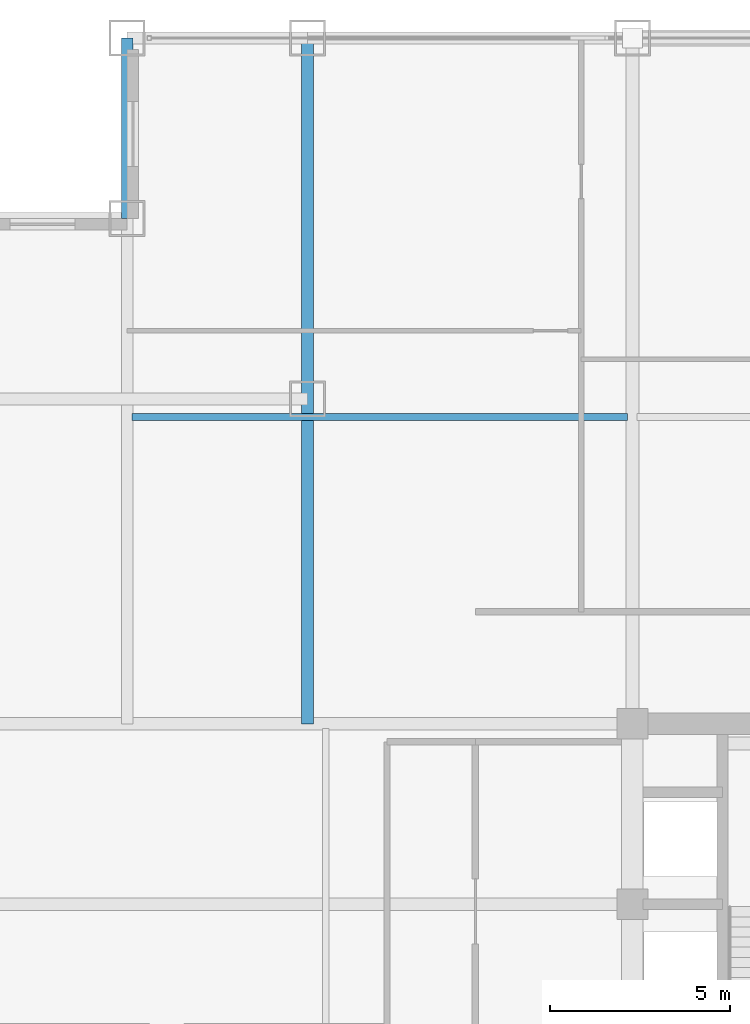
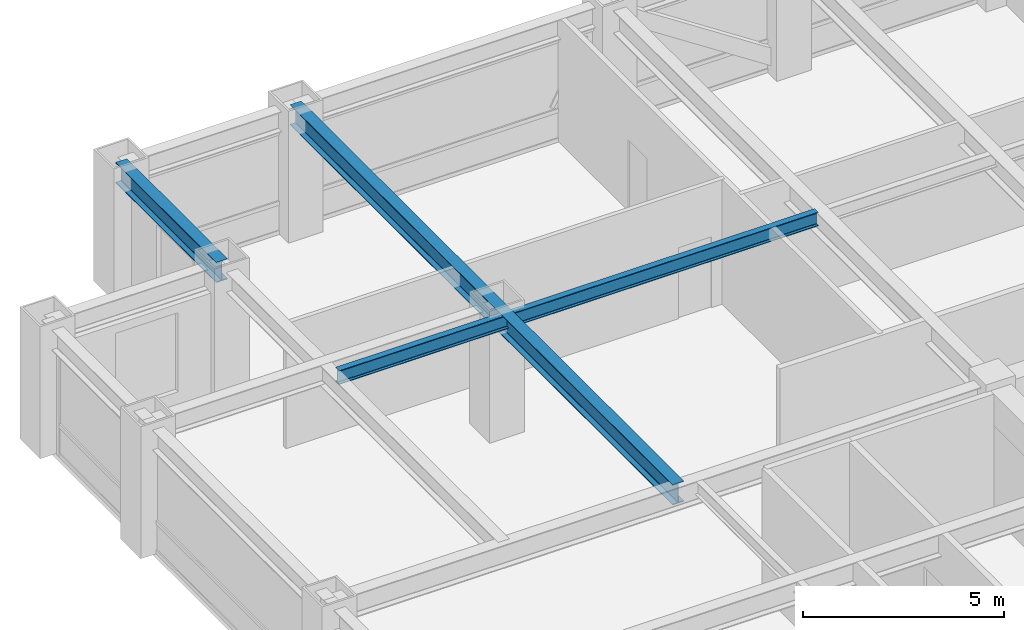
# One storey, part 13 of 25: 3 beams.
"""IFC4 building model written with IfcOpenShell, lengths in metres."""

import ifcopenshell
import ifcopenshell.guid

model = None  # the IFC model being written
_history = None  # IfcOwnerHistory: only IFC2X3 demands one
_inside = {}  # id of a spatial element -> (the spatial element, [elements in it])
_under = {}  # id of a project, library or spatial element -> (it, [spatial elements below it])
_declared = {}  # id of a project -> (the project, [libraries it declares])
_typed = {}  # id of a type object -> (the type object, [elements of that type])
_made_of = {}  # id of a material, layer set ... -> (it, [elements and type objects made of it])


def new_model(schema):
    """Start an empty IFC model of exactly this schema.

    Asked for "IFC4X3", IfcOpenShell would pick the latest addendum, in which some entities
    have other attributes; the version numbers below select the first issue.
    IFC2X3 requires an IfcOwnerHistory on every rooted entity: one is made here for all.
    """
    global model, _history
    if schema == "IFC4X3":
        model = ifcopenshell.file(schema_version=(4, 3, 0, 0))
    else:
        model = ifcopenshell.file(schema=schema)
    _inside.clear()
    _under.clear()
    _declared.clear()
    _typed.clear()
    _made_of.clear()
    _history = None
    if model.schema == "IFC2X3":
        org = make("IfcOrganization", Name="unknown")
        user = make(
            "IfcPersonAndOrganization",
            ThePerson=make("IfcPerson", FamilyName="unknown"),
            TheOrganization=org,
        )
        app = make(
            "IfcApplication",
            ApplicationDeveloper=org,
            Version="unknown",
            ApplicationFullName="unknown",
            ApplicationIdentifier="unknown",
        )
        _history = make(
            "IfcOwnerHistory",
            OwningUser=user,
            OwningApplication=app,
            ChangeAction="ADDED",
            CreationDate=0,
        )
    return model


def make(cls, **values):
    """One entity of the class cls with the attributes given. An attribute that is None is left unset."""
    return model.create_entity(
        cls, **{name: value for name, value in values.items() if value is not None}
    )


def rooted(cls, **values):
    """An entity with a GlobalId (a new one), such as an element, a storey or a relation."""
    return make(cls, GlobalId=ifcopenshell.guid.new(), OwnerHistory=_history, **values)


def si_unit(unit_type, name, prefix=None):
    """IfcSIUnit, for example si_unit("LENGTHUNIT", "METRE", prefix="MILLI")."""
    return make("IfcSIUnit", UnitType=unit_type, Prefix=prefix, Name=name)


def assignment(units):
    """IfcUnitAssignment: the units of a project."""
    return None if units is None else make("IfcUnitAssignment", Units=units)


def point(xyz):
    """IfcCartesianPoint."""
    return None if xyz is None else make("IfcCartesianPoint", Coordinates=xyz)


def direction(xyz):
    """IfcDirection."""
    return None if xyz is None else make("IfcDirection", DirectionRatios=xyz)


def frame(location, z_axis=None, x_axis=None):
    """IfcAxis2Placement3D, a coordinate frame: its origin and axes. An axis left out is left unset."""
    return make(
        "IfcAxis2Placement3D",
        Location=point(location),
        Axis=direction(z_axis),
        RefDirection=direction(x_axis),
    )


def frame_2d(location, x_axis=None):
    """IfcAxis2Placement2D, a coordinate frame in the plane: its origin and x axis."""
    return make(
        "IfcAxis2Placement2D", Location=point(location), RefDirection=direction(x_axis)
    )


def origin():
    """The frame at (0, 0, 0) with its axes left unset."""
    return frame((0.0, 0.0, 0.0))


def origin_2d():
    """The frame at (0, 0) in the plane with its x axis left unset."""
    return frame_2d((0.0, 0.0))


def place(relative_to, where):
    """IfcLocalPlacement: puts the frame where relative to a parent placement (None: the world)."""
    return make(
        "IfcLocalPlacement", PlacementRelTo=relative_to, RelativePlacement=where
    )


def context(
    kind, dimensions, precision=None, world=None, true_north=None, identifier=None
):
    """IfcGeometricRepresentationContext, for example the 3D "Model" context."""
    return make(
        "IfcGeometricRepresentationContext",
        ContextIdentifier=identifier,
        ContextType=kind,
        CoordinateSpaceDimension=dimensions,
        Precision=precision,
        WorldCoordinateSystem=world,
        TrueNorth=true_north,
    )


def subcontext(parent, identifier, kind, view, scale=None):
    """IfcGeometricRepresentationSubContext, for example "Body" below "Model"."""
    return make(
        "IfcGeometricRepresentationSubContext",
        ContextIdentifier=identifier,
        ContextType=kind,
        ParentContext=parent,
        TargetScale=scale,
        TargetView=view,
    )


def project(units=None, contexts=None):
    """IfcProject with its units and contexts."""
    return rooted(
        "IfcProject",
        Name="project",
        RepresentationContexts=contexts,
        UnitsInContext=assignment(units),
    )


def spatial(cls, under=None, at=None, **own):
    """A site, building, storey or space (cls), placed at a placement, below another one or the project."""
    s = rooted(cls, ObjectPlacement=at, **own)
    if under is not None:
        _under.setdefault(under.id(), (under, []))[1].append(s)
    return s


def profile(cls, at=None, kind="AREA", **sizes):
    """A parametric profile (cls). Its sizes go by their IFC names, for example OverallWidth=200.0."""
    return make(cls, ProfileType=kind, Position=at, **sizes)


def i_section(**sizes):
    """IfcIShapeProfileDef."""
    return profile("IfcIShapeProfileDef", **sizes)


def extrude(swept, where, along, depth):
    """IfcExtrudedAreaSolid: the profile swept, set in the frame where, extruded along a direction by depth."""
    return make(
        "IfcExtrudedAreaSolid",
        SweptArea=swept,
        Position=where,
        ExtrudedDirection=direction(along),
        Depth=depth,
    )


def shape(context_of_items, identifier, shape_type, items):
    """IfcShapeRepresentation: the items that make up one representation, for example the "Body"."""
    return make(
        "IfcShapeRepresentation",
        ContextOfItems=context_of_items,
        RepresentationIdentifier=identifier,
        RepresentationType=shape_type,
        Items=items,
    )


def source(mapping_origin, context_of_items, identifier, shape_type, items):
    """IfcRepresentationMap: a shape defined once, which mapped items show again and again."""
    return make(
        "IfcRepresentationMap",
        MappingOrigin=mapping_origin,
        MappedRepresentation=shape(context_of_items, identifier, shape_type, items),
    )


def transform(
    local_origin,
    x_axis=None,
    y_axis=None,
    z_axis=None,
    scale=None,
    scale2=None,
    scale3=None,
    uniform=True,
):
    """IfcCartesianTransformationOperator3D, or its non-uniform kind. x_axis, y_axis, z_axis: its Axis1, 2, 3."""
    if uniform:
        return make(
            "IfcCartesianTransformationOperator3D",
            Axis1=direction(x_axis),
            Axis2=direction(y_axis),
            LocalOrigin=point(local_origin),
            Scale=scale,
            Axis3=direction(z_axis),
        )
    return make(
        "IfcCartesianTransformationOperator3DnonUniform",
        Axis1=direction(x_axis),
        Axis2=direction(y_axis),
        LocalOrigin=point(local_origin),
        Scale=scale,
        Axis3=direction(z_axis),
        Scale2=scale2,
        Scale3=scale3,
    )


def mapped(mapping_source, mapping_target):
    """IfcMappedItem: shows the shape of a source again, moved by a transform."""
    return make(
        "IfcMappedItem", MappingSource=mapping_source, MappingTarget=mapping_target
    )


def material(Name=None, Category=None):
    """IfcMaterial."""
    return make("IfcMaterial", Name=Name, Category=Category)


def material_profile(
    of_material, cross_section, Name=None, Category=None, Priority=None
):
    """IfcMaterialProfile: a cross section and its material."""
    return make(
        "IfcMaterialProfile",
        Name=Name,
        Material=of_material,
        Profile=cross_section,
        Priority=Priority,
        Category=Category,
    )


def profile_set(profiles, Name=None, composite=None):
    """IfcMaterialProfileSet."""
    return make(
        "IfcMaterialProfileSet",
        Name=Name,
        MaterialProfiles=profiles,
        CompositeProfile=composite,
    )


def made_of(thing, what):
    """Note that an element or type object is made of a material, layer set ...; save() writes the relation."""
    if what is not None:
        _made_of.setdefault(what.id(), (what, []))[1].append(thing)
    return thing


def type_object(cls, material=None, **own):
    """A type object (cls), such as IfcWallType, which elements share."""
    return made_of(rooted(cls, **own), material)


def element(
    cls,
    number,
    at=None,
    inside=None,
    cuts=None,
    type_object=None,
    material=None,
    context=None,
    identifier="Body",
    shape_type=None,
    held_by="IfcProductDefinitionShape",
    body=None,
    shapes=None,
    **own,
):
    """One element of the class cls, such as IfcWall. Its Tag is "e" and its number.

    at: its placement. inside: the storey or other place that contains it. cuts: it is an
    opening in that element (IfcRelVoidsElement). A single representation is given by context,
    identifier, shape_type and body (its items); several are given by shapes. held_by: the class
    of the entity that holds the representations. save() writes the other relations.
    """
    e = rooted(cls, Tag="e%d" % number, ObjectPlacement=at, **own)
    if body is not None:
        shapes = [shape(context, identifier, shape_type, body)]
    if shapes is not None:
        e.Representation = make(held_by, Representations=shapes)
    if inside is not None:
        _inside.setdefault(inside.id(), (inside, []))[1].append(e)
    if cuts is not None:
        rooted(
            "IfcRelVoidsElement", RelatingBuildingElement=cuts, RelatedOpeningElement=e
        )
    if type_object is not None:
        _typed.setdefault(type_object.id(), (type_object, []))[1].append(e)
    return made_of(e, material)


def aggregate(whole, parts):
    """IfcRelAggregates: a whole, such as a stair, and the parts it consists of."""
    return rooted("IfcRelAggregates", RelatingObject=whole, RelatedObjects=parts)


def save(model, path):
    """Write the relations noted so far, then the file.

    IfcRelAggregates (storeys below a building ...), IfcRelContainedInSpatialStructure (elements
    in a storey), IfcRelDefinesByType, IfcRelAssociatesMaterial and IfcRelDeclares: one each for
    every whole, place, type object, material and project.
    """
    for whole, parts in _under.values():
        aggregate(whole, parts)
    for where, things in _inside.values():
        rooted(
            "IfcRelContainedInSpatialStructure",
            RelatedElements=things,
            RelatingStructure=where,
        )
    for kind, things in _typed.values():
        rooted("IfcRelDefinesByType", RelatedObjects=things, RelatingType=kind)
    for what, things in _made_of.values():
        rooted("IfcRelAssociatesMaterial", RelatedObjects=things, RelatingMaterial=what)
    for by, libraries in _declared.values():
        rooted("IfcRelDeclares", RelatingContext=by, RelatedDefinitions=libraries)
    model.write(path)


model = new_model("IFC4")

# Units and contexts
model_context = context("Model", 3, precision=1e-05, world=origin(), true_north=direction((0.0, 1.0)))
body_context = subcontext(model_context, "Body", "Model", "MODEL_VIEW")
ifc_project = project(units=[si_unit("LENGTHUNIT", "METRE"), si_unit("AREAUNIT", "SQUARE_METRE"), si_unit("VOLUMEUNIT", "CUBIC_METRE"), si_unit("PLANEANGLEUNIT", "RADIAN"), si_unit("MASSUNIT", "GRAM", prefix="KILO")], contexts=[model_context])

# Site, building, storey
site_placement = place(None, origin())
site = spatial("IfcSite", under=ifc_project, at=site_placement, CompositionType="ELEMENT")
building_placement = place(site_placement, origin())
building = spatial("IfcBuilding", under=site, at=building_placement, Name="Khorayat Bourse Tower", CompositionType="ELEMENT")
storey_placement = place(building_placement, frame((0.0, 0.0, 231.10009765625)))
storey = spatial("IfcBuildingStorey", under=building, at=storey_placement, Name="L54", CompositionType="ELEMENT", Elevation=231.10009765625)

# Beams
ifc_material = material(Name="Steel ASTM A992 Grade 50", Category="steel")
ifc_material_profile_1 = material_profile(ifc_material, i_section(OverallWidth=0.324951171875, OverallDepth=0.615966796875, WebThickness=0.013916015625, FlangeThickness=0.021484375, FilletRadius=0.01611328125, at=origin_2d()), Name="W610X174")
ifc_profile_set_1 = profile_set([ifc_material_profile_1], Name="Steel ASTM A992 Grade 50")
beam_type_1 = type_object("IfcBeamType", Name="BM-GIRD-610", PredefinedType="BEAM", material=ifc_profile_set_1)
shared_shape_1 = source(origin(), body_context, "Body", "SweptSolid", [
    extrude(i_section(OverallWidth=0.324951171875, OverallDepth=0.615966796875, WebThickness=0.013916015625, FlangeThickness=0.021484375, FilletRadius=0.01611328125, at=origin_2d()), origin(), (0.0, 0.0, 1.0), 19.0),
])
beam_1_placement = place(storey_placement, frame((-20.0, 11.0, 3.471923828125), z_axis=(0.0, 1.0, 0.0), x_axis=(-1.0, 0.0, 0.0)))
element("IfcBeam", 1, at=beam_1_placement, inside=storey, type_object=beam_type_1, Name="L54 BM-GIRD-610 BM-L54-CNRY-085", PredefinedType="BEAM", context=body_context, shape_type="MappedRepresentation", body=[
    mapped(shared_shape_1, transform((0.0, 0.0, 0.0), scale=1.0)),
])
ifc_material_profile_2 = material_profile(ifc_material, i_section(OverallWidth=0.324951171875, OverallDepth=0.615966796875, WebThickness=0.013916015625, FlangeThickness=0.021484375, FilletRadius=0.01611328125, at=origin_2d()), Name="W610X174")
ifc_profile_set_2 = profile_set([ifc_material_profile_2], Name="Steel ASTM A992 Grade 50")
beam_type_2 = type_object("IfcBeamType", Name="BM-SPAN-610", PredefinedType="SPANDREL", material=ifc_profile_set_2)
shared_shape_2 = source(origin(), body_context, "Body", "SweptSolid", [
    extrude(i_section(OverallWidth=0.324951171875, OverallDepth=0.615966796875, WebThickness=0.013916015625, FlangeThickness=0.021484375, FilletRadius=0.01611328125, at=origin_2d()), origin(), (0.0, 0.0, 1.0), 5.0),
])
beam_2_placement = place(storey_placement, frame((-25.0, 25.0, 3.471923828125), z_axis=(0.0, 1.0, 0.0), x_axis=(-1.0, 0.0, 0.0)))
element("IfcBeam", 2, at=beam_2_placement, inside=storey, type_object=beam_type_2, Name="L54 BM-SPAN-610 BM-L54-SPN-052", PredefinedType="SPANDREL", context=body_context, shape_type="MappedRepresentation", body=[
    mapped(shared_shape_2, transform((0.0, 0.0, 0.0), scale=1.0)),
])
ifc_material_profile_3 = material_profile(ifc_material, i_section(OverallWidth=0.180908203125, OverallDepth=0.4169921875, WebThickness=0.010986328125, FlangeThickness=0.018310546875, FilletRadius=0.011962890625, at=origin_2d()), Name="W410X85")
ifc_profile_set_3 = profile_set([ifc_material_profile_3], Name="Steel ASTM A992 Grade 50")
beam_type_3 = type_object("IfcBeamType", Name="BM-JOIST-410", PredefinedType="JOIST", material=ifc_profile_set_3)
shared_shape_3 = source(origin(), body_context, "Body", "SweptSolid", [
    extrude(i_section(OverallWidth=0.180908203125, OverallDepth=0.4169921875, WebThickness=0.010986328125, FlangeThickness=0.018310546875, FilletRadius=0.011962890625, at=origin_2d()), origin(), (0.0, 0.0, 1.0), 13.740234375),
])
beam_3_placement = place(storey_placement, frame((-24.8701171875, 19.5, 3.5712890625), z_axis=(1.0, 0.0, 0.0), x_axis=(0.0, 1.0, 0.0)))
element("IfcBeam", 3, at=beam_3_placement, inside=storey, type_object=beam_type_3, Name="L54 BM-JOIST-410 BM-L54-JSTX-099", PredefinedType="JOIST", context=body_context, shape_type="MappedRepresentation", body=[
    mapped(shared_shape_3, transform((0.0, 0.0, 0.0), scale=1.0)),
])

save(model, "model.ifc")
